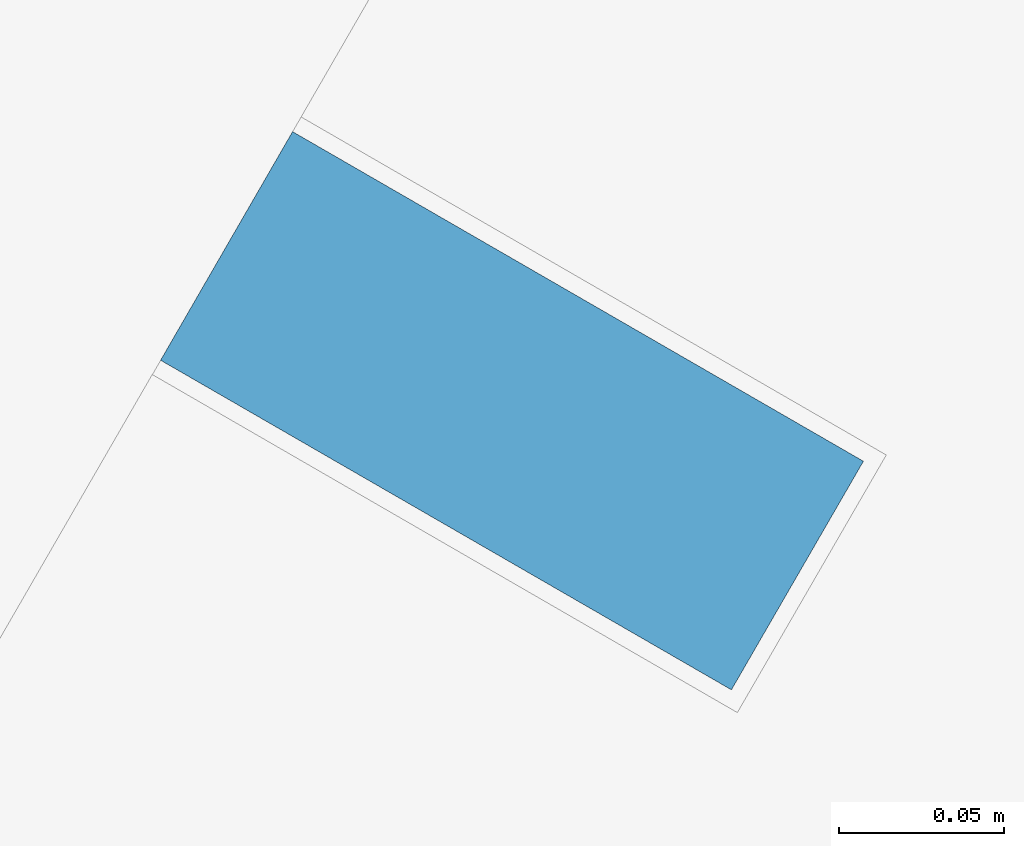
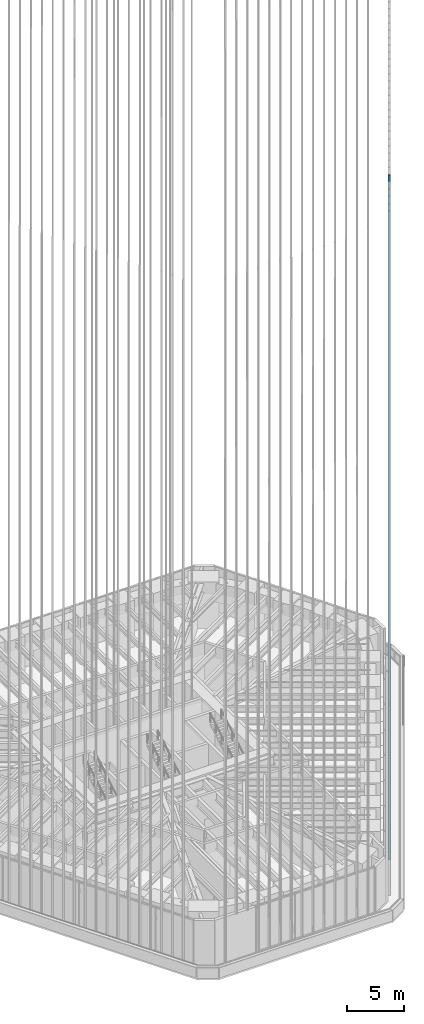
# One storey, part 86 of 228: 1 member, 1 element without a shape of its own.
"""IFC4 building model written with IfcOpenShell, lengths in metres."""

import ifcopenshell
import ifcopenshell.guid

model = None  # the IFC model being written
_history = None  # IfcOwnerHistory: only IFC2X3 demands one
_inside = {}  # id of a spatial element -> (the spatial element, [elements in it])
_under = {}  # id of a project, library or spatial element -> (it, [spatial elements below it])
_declared = {}  # id of a project -> (the project, [libraries it declares])
_typed = {}  # id of a type object -> (the type object, [elements of that type])
_made_of = {}  # id of a material, layer set ... -> (it, [elements and type objects made of it])


def new_model(schema):
    """Start an empty IFC model of exactly this schema.

    Asked for "IFC4X3", IfcOpenShell would pick the latest addendum, in which some entities
    have other attributes; the version numbers below select the first issue.
    IFC2X3 requires an IfcOwnerHistory on every rooted entity: one is made here for all.
    """
    global model, _history
    if schema == "IFC4X3":
        model = ifcopenshell.file(schema_version=(4, 3, 0, 0))
    else:
        model = ifcopenshell.file(schema=schema)
    _inside.clear()
    _under.clear()
    _declared.clear()
    _typed.clear()
    _made_of.clear()
    _history = None
    if model.schema == "IFC2X3":
        org = make("IfcOrganization", Name="unknown")
        user = make(
            "IfcPersonAndOrganization",
            ThePerson=make("IfcPerson", FamilyName="unknown"),
            TheOrganization=org,
        )
        app = make(
            "IfcApplication",
            ApplicationDeveloper=org,
            Version="unknown",
            ApplicationFullName="unknown",
            ApplicationIdentifier="unknown",
        )
        _history = make(
            "IfcOwnerHistory",
            OwningUser=user,
            OwningApplication=app,
            ChangeAction="ADDED",
            CreationDate=0,
        )
    return model


def make(cls, **values):
    """One entity of the class cls with the attributes given. An attribute that is None is left unset."""
    return model.create_entity(
        cls, **{name: value for name, value in values.items() if value is not None}
    )


def rooted(cls, **values):
    """An entity with a GlobalId (a new one), such as an element, a storey or a relation."""
    return make(cls, GlobalId=ifcopenshell.guid.new(), OwnerHistory=_history, **values)


def si_unit(unit_type, name, prefix=None):
    """IfcSIUnit, for example si_unit("LENGTHUNIT", "METRE", prefix="MILLI")."""
    return make("IfcSIUnit", UnitType=unit_type, Prefix=prefix, Name=name)


def assignment(units):
    """IfcUnitAssignment: the units of a project."""
    return None if units is None else make("IfcUnitAssignment", Units=units)


def point(xyz):
    """IfcCartesianPoint."""
    return None if xyz is None else make("IfcCartesianPoint", Coordinates=xyz)


def direction(xyz):
    """IfcDirection."""
    return None if xyz is None else make("IfcDirection", DirectionRatios=xyz)


def frame(location, z_axis=None, x_axis=None):
    """IfcAxis2Placement3D, a coordinate frame: its origin and axes. An axis left out is left unset."""
    return make(
        "IfcAxis2Placement3D",
        Location=point(location),
        Axis=direction(z_axis),
        RefDirection=direction(x_axis),
    )


def frame_2d(location, x_axis=None):
    """IfcAxis2Placement2D, a coordinate frame in the plane: its origin and x axis."""
    return make(
        "IfcAxis2Placement2D", Location=point(location), RefDirection=direction(x_axis)
    )


def origin():
    """The frame at (0, 0, 0) with its axes left unset."""
    return frame((0.0, 0.0, 0.0))


def origin_2d():
    """The frame at (0, 0) in the plane with its x axis left unset."""
    return frame_2d((0.0, 0.0))


def place(relative_to, where):
    """IfcLocalPlacement: puts the frame where relative to a parent placement (None: the world)."""
    return make(
        "IfcLocalPlacement", PlacementRelTo=relative_to, RelativePlacement=where
    )


def context(
    kind, dimensions, precision=None, world=None, true_north=None, identifier=None
):
    """IfcGeometricRepresentationContext, for example the 3D "Model" context."""
    return make(
        "IfcGeometricRepresentationContext",
        ContextIdentifier=identifier,
        ContextType=kind,
        CoordinateSpaceDimension=dimensions,
        Precision=precision,
        WorldCoordinateSystem=world,
        TrueNorth=true_north,
    )


def subcontext(parent, identifier, kind, view, scale=None):
    """IfcGeometricRepresentationSubContext, for example "Body" below "Model"."""
    return make(
        "IfcGeometricRepresentationSubContext",
        ContextIdentifier=identifier,
        ContextType=kind,
        ParentContext=parent,
        TargetScale=scale,
        TargetView=view,
    )


def project(units=None, contexts=None):
    """IfcProject with its units and contexts."""
    return rooted(
        "IfcProject",
        Name="project",
        RepresentationContexts=contexts,
        UnitsInContext=assignment(units),
    )


def spatial(cls, under=None, at=None, **own):
    """A site, building, storey or space (cls), placed at a placement, below another one or the project."""
    s = rooted(cls, ObjectPlacement=at, **own)
    if under is not None:
        _under.setdefault(under.id(), (under, []))[1].append(s)
    return s


def profile(cls, at=None, kind="AREA", **sizes):
    """A parametric profile (cls). Its sizes go by their IFC names, for example OverallWidth=200.0."""
    return make(cls, ProfileType=kind, Position=at, **sizes)


def rectangle(**sizes):
    """IfcRectangleProfileDef."""
    return profile("IfcRectangleProfileDef", **sizes)


def extrude(swept, where, along, depth):
    """IfcExtrudedAreaSolid: the profile swept, set in the frame where, extruded along a direction by depth."""
    return make(
        "IfcExtrudedAreaSolid",
        SweptArea=swept,
        Position=where,
        ExtrudedDirection=direction(along),
        Depth=depth,
    )


def shape(context_of_items, identifier, shape_type, items):
    """IfcShapeRepresentation: the items that make up one representation, for example the "Body"."""
    return make(
        "IfcShapeRepresentation",
        ContextOfItems=context_of_items,
        RepresentationIdentifier=identifier,
        RepresentationType=shape_type,
        Items=items,
    )


def material(Name=None, Category=None):
    """IfcMaterial."""
    return make("IfcMaterial", Name=Name, Category=Category)


def material_profile(
    of_material, cross_section, Name=None, Category=None, Priority=None
):
    """IfcMaterialProfile: a cross section and its material."""
    return make(
        "IfcMaterialProfile",
        Name=Name,
        Material=of_material,
        Profile=cross_section,
        Priority=Priority,
        Category=Category,
    )


def profile_set(profiles, Name=None, composite=None):
    """IfcMaterialProfileSet."""
    return make(
        "IfcMaterialProfileSet",
        Name=Name,
        MaterialProfiles=profiles,
        CompositeProfile=composite,
    )


def made_of(thing, what):
    """Note that an element or type object is made of a material, layer set ...; save() writes the relation."""
    if what is not None:
        _made_of.setdefault(what.id(), (what, []))[1].append(thing)
    return thing


def type_object(cls, material=None, **own):
    """A type object (cls), such as IfcWallType, which elements share."""
    return made_of(rooted(cls, **own), material)


def element(
    cls,
    number,
    at=None,
    inside=None,
    cuts=None,
    type_object=None,
    material=None,
    context=None,
    identifier="Body",
    shape_type=None,
    held_by="IfcProductDefinitionShape",
    body=None,
    shapes=None,
    **own,
):
    """One element of the class cls, such as IfcWall. Its Tag is "e" and its number.

    at: its placement. inside: the storey or other place that contains it. cuts: it is an
    opening in that element (IfcRelVoidsElement). A single representation is given by context,
    identifier, shape_type and body (its items); several are given by shapes. held_by: the class
    of the entity that holds the representations. save() writes the other relations.
    """
    e = rooted(cls, Tag="e%d" % number, ObjectPlacement=at, **own)
    if body is not None:
        shapes = [shape(context, identifier, shape_type, body)]
    if shapes is not None:
        e.Representation = make(held_by, Representations=shapes)
    if inside is not None:
        _inside.setdefault(inside.id(), (inside, []))[1].append(e)
    if cuts is not None:
        rooted(
            "IfcRelVoidsElement", RelatingBuildingElement=cuts, RelatedOpeningElement=e
        )
    if type_object is not None:
        _typed.setdefault(type_object.id(), (type_object, []))[1].append(e)
    return made_of(e, material)


def aggregate(whole, parts):
    """IfcRelAggregates: a whole, such as a stair, and the parts it consists of."""
    return rooted("IfcRelAggregates", RelatingObject=whole, RelatedObjects=parts)


def save(model, path):
    """Write the relations noted so far, then the file.

    IfcRelAggregates (storeys below a building ...), IfcRelContainedInSpatialStructure (elements
    in a storey), IfcRelDefinesByType, IfcRelAssociatesMaterial and IfcRelDeclares: one each for
    every whole, place, type object, material and project.
    """
    for whole, parts in _under.values():
        aggregate(whole, parts)
    for where, things in _inside.values():
        rooted(
            "IfcRelContainedInSpatialStructure",
            RelatedElements=things,
            RelatingStructure=where,
        )
    for kind, things in _typed.values():
        rooted("IfcRelDefinesByType", RelatedObjects=things, RelatingType=kind)
    for what, things in _made_of.values():
        rooted("IfcRelAssociatesMaterial", RelatedObjects=things, RelatingMaterial=what)
    for by, libraries in _declared.values():
        rooted("IfcRelDeclares", RelatingContext=by, RelatedDefinitions=libraries)
    model.write(path)


model = new_model("IFC4")

# Units and contexts
model_context = context("Model", 3, precision=1e-05, world=origin(), true_north=direction((0.0, 1.0)))
body_context = subcontext(model_context, "Body", "Model", "MODEL_VIEW")
ifc_project = project(units=[si_unit("LENGTHUNIT", "METRE"), si_unit("AREAUNIT", "SQUARE_METRE"), si_unit("VOLUMEUNIT", "CUBIC_METRE"), si_unit("PLANEANGLEUNIT", "RADIAN"), si_unit("MASSUNIT", "GRAM", prefix="KILO")], contexts=[model_context])

# Site, building, storey
site_placement = place(None, origin())
site = spatial("IfcSite", under=ifc_project, at=site_placement, CompositionType="ELEMENT")
building_placement = place(site_placement, origin())
building = spatial("IfcBuilding", under=site, at=building_placement, Name="Sandreach Pilgrim Tower", CompositionType="ELEMENT")
storey_placement = place(building_placement, frame((0.0, 0.0, 178.199951171875)))
storey = spatial("IfcBuildingStorey", under=building, at=storey_placement, Name="L44", CompositionType="ELEMENT", Elevation=178.199951171875)

# Curtain wall, member
ifc_material_1 = material(Name="Aluminium framed curtain wall", Category="aluminium")
curtain_wall_type = type_object("IfcCurtainWallType", Name="Upper hotel tower curtain wall", PredefinedType="NOTDEFINED", material=ifc_material_1)
curtain_wall_placement = place(storey_placement, origin())
curtain_wall = element("IfcCurtainWall", 1, at=curtain_wall_placement, inside=storey, type_object=curtain_wall_type, Name="CW-3 L44 SE", PredefinedType="NOTDEFINED")
ifc_material_2 = material(Name="Extruded terracotta on aluminium core", Category="masonry")
ifc_material_profile = material_profile(ifc_material_2, rectangle(XDim=0.080078125, YDim=0.199951171875, at=origin_2d()), Name="TBE 80X200")
ifc_profile_set = profile_set([ifc_material_profile], Name="Extruded terracotta on aluminium core")
member_type = type_object("IfcMemberType", Name="Terracotta baguette east", PredefinedType="USERDEFINED", material=ifc_profile_set)
member_placement = place(storey_placement, frame((13.1650390625, -20.317626953125, 0.0), z_axis=(0.0, 0.0, 1.0), x_axis=(-0.5, -0.866025403784, 0.0)))
member = element("IfcMember", 2, at=member_placement, type_object=member_type, Name="Baguette Z3 SE26", ObjectType="BAGUETTE", PredefinedType="USERDEFINED", context=body_context, shape_type="SweptSolid", body=[
    extrude(rectangle(XDim=0.080078125, YDim=0.199951171875, at=origin_2d()), origin(), (0.0, 0.0, 1.0), 73.239990234375),
])
aggregate(curtain_wall, [member])

save(model, "model.ifc")
